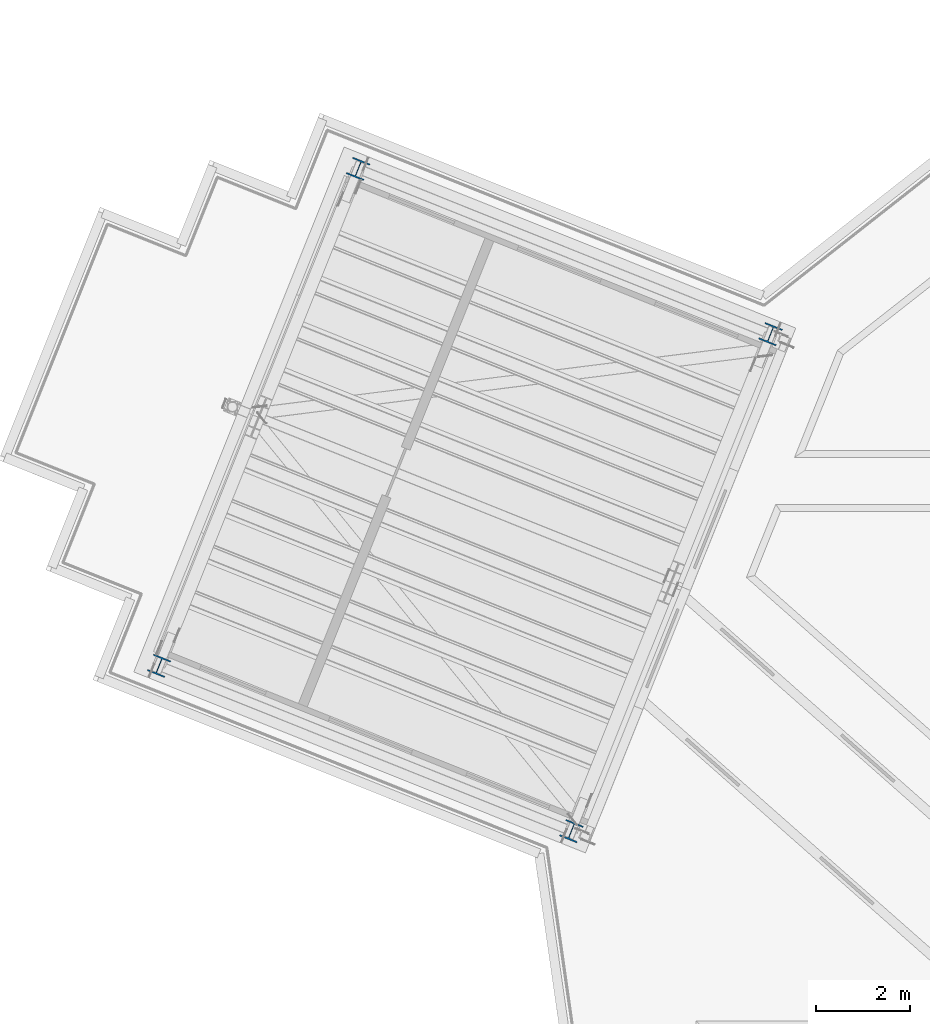
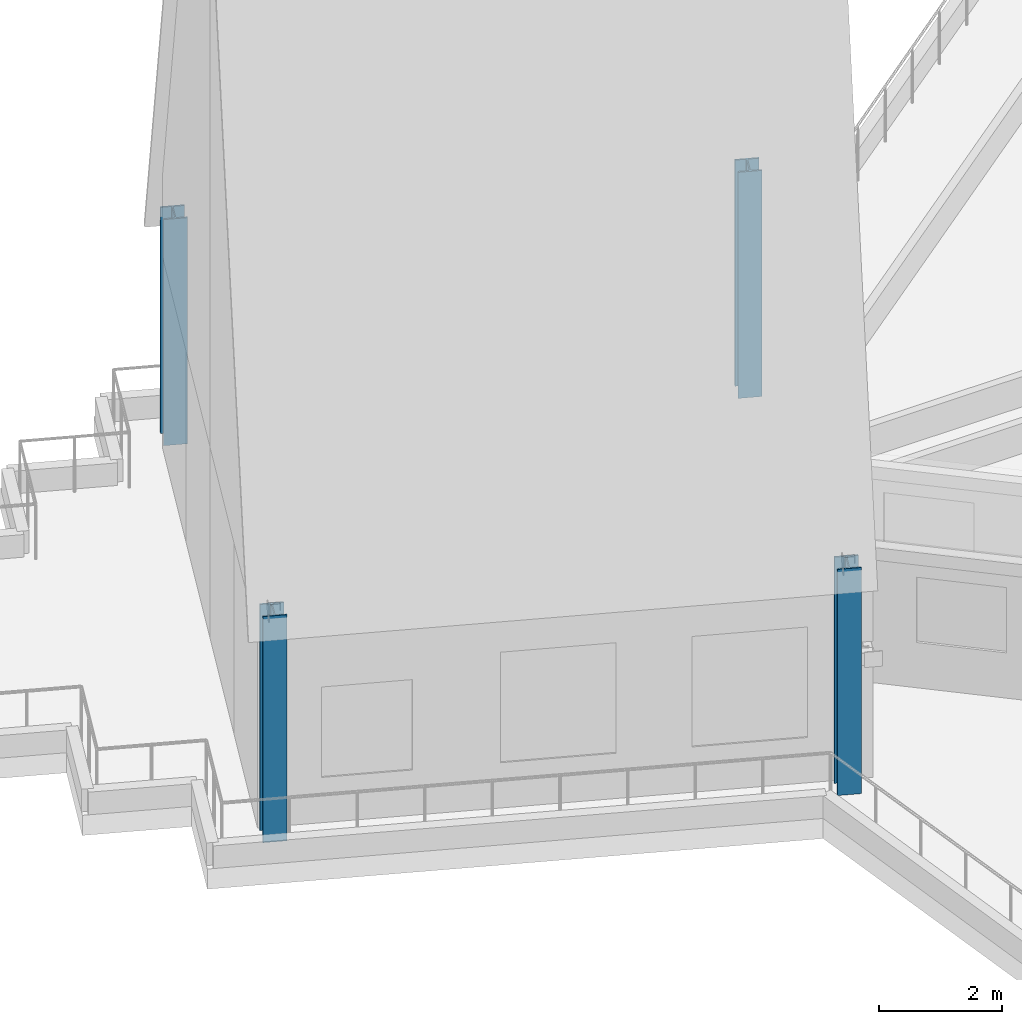
# One storey, part 2 of 32: 4 columns.
"""IFC4 building model written with IfcOpenShell, lengths in metres."""

from ifc_helpers import new_model, si_unit, direction, frame, origin, origin_2d, place, context, subcontext, project, spatial, i_section, extrude, material, material_profile, profile_set, type_object, element, save


model = new_model("IFC4")

# Units and contexts
model_context = context("Model", 3, precision=1e-05, world=origin(), true_north=direction((0.0, 1.0)))
body_context = subcontext(model_context, "Body", "Model", "MODEL_VIEW")
ifc_project = project(units=[si_unit("LENGTHUNIT", "METRE"), si_unit("AREAUNIT", "SQUARE_METRE"), si_unit("VOLUMEUNIT", "CUBIC_METRE"), si_unit("PLANEANGLEUNIT", "RADIAN"), si_unit("MASSUNIT", "GRAM", prefix="KILO")], contexts=[model_context])

# Site, building, storey
site_placement = place(None, origin())
site = spatial("IfcSite", under=ifc_project, at=site_placement, CompositionType="ELEMENT")
building_placement = place(site_placement, origin())
building = spatial("IfcBuilding", under=site, at=building_placement, Name="Verdalira Terraces Hotel", CompositionType="ELEMENT")
storey_placement = place(building_placement, frame((0.0, 0.0, 315.0)))
storey = spatial("IfcBuildingStorey", under=building, at=storey_placement, Name="L78", CompositionType="ELEMENT", Elevation=315.0)

# Columns
ifc_material = material(Name="Steel ASTM A992 Grade 50", Category="steel")
ifc_material_profile = material_profile(ifc_material, i_section(OverallWidth=0.39624, OverallDepth=0.381104, WebThickness=0.018799, FlangeThickness=0.030273, FilletRadius=0.015137, at=origin_2d()), Name="W14X159")
ifc_profile_set = profile_set([ifc_material_profile], Name="Steel ASTM A992 Grade 50")
column_type = type_object("IfcColumnType", Name="Gable frame column W14X159", PredefinedType="COLUMN", material=ifc_profile_set)
for number, where, z_axis, x_axis, name in (
    (1, (-24.156006, 3.540527, 0.0), (0.0, 0.0, 1.0), (-0.928226337, 0.37201595, 0.0), "Gable frame column G1-1a"),
    (2, (-19.914795, 14.122314, 0.0), (0.0, 0.0, 1.0), (-0.928226337, 0.37201595, 0.0), "Gable frame column G1-1b"),
    (3, (-32.9375, 7.060059, 0.0), (0.0, 0.0, 1.0), (-0.928226337, 0.37201595, 0.0), "Gable frame column G1-2a"),
    (4, (-28.696533, 17.641846, 0.0), (0.0, 0.0, 1.0), (-0.928226337, 0.37201595, 0.0), "Gable frame column G1-2b"),
):
    element("IfcColumn", number, at=place(storey_placement, frame(where, z_axis=z_axis, x_axis=x_axis)), inside=storey, type_object=column_type, Name=name, PredefinedType="COLUMN", context=body_context, shape_type="SweptSolid", body=[
        extrude(i_section(OverallWidth=0.39624, OverallDepth=0.381104, WebThickness=0.018799, FlangeThickness=0.030273, FilletRadius=0.015137, at=origin_2d()), origin(), (0.0, 0.0, 1.0), 4.5),
    ])

save(model, "model.ifc")
